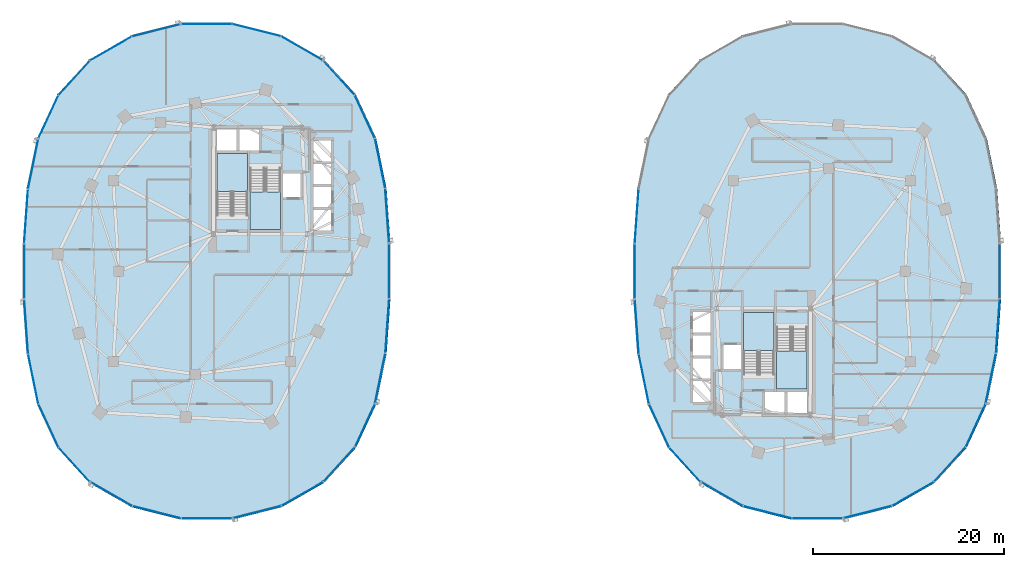
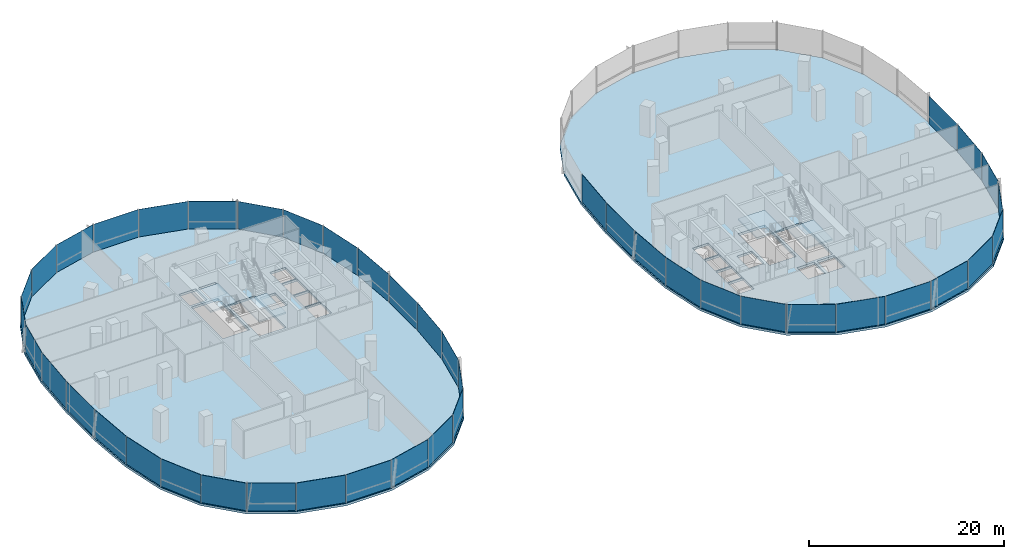
# One storey, part 9 of 21: 44 plates, 6 slabs, 11 elements without a shape of their own.
"""IFC4 building model written with IfcOpenShell, lengths in metres."""

from ifc_helpers import new_model, si_unit, direction, frame, origin, origin_2d, place, context, subcontext, project, spatial, polyline, rectangle, outline, extrude, material, layer, layer_set, type_object, element, aggregate, save


model = new_model("IFC4")

# Units and contexts
model_context = context("Model", 3, precision=1e-05, world=origin(), true_north=direction((0.0, 1.0)))
body_context = subcontext(model_context, "Body", "Model", "MODEL_VIEW")
ifc_project = project(units=[si_unit("LENGTHUNIT", "METRE"), si_unit("AREAUNIT", "SQUARE_METRE"), si_unit("VOLUMEUNIT", "CUBIC_METRE"), si_unit("PLANEANGLEUNIT", "RADIAN"), si_unit("MASSUNIT", "GRAM", prefix="KILO"), si_unit("THERMODYNAMICTEMPERATUREUNIT", "KELVIN"), si_unit("POWERUNIT", "WATT")], contexts=[model_context])

# Site, building, storey
site_placement = place(None, origin())
site = spatial("IfcSite", under=ifc_project, at=site_placement, CompositionType="ELEMENT")
building_placement = place(site_placement, origin())
building = spatial("IfcBuilding", under=site, at=building_placement, Name="Cundina Bronze Exchange", CompositionType="ELEMENT")
storey_placement = place(building_placement, frame((0.0, 0.0, 31.60009765625)))
storey = spatial("IfcBuildingStorey", under=building, at=storey_placement, Name="L07", CompositionType="ELEMENT", Elevation=31.60009765625)

# Curtain wall, plates
ifc_material_1 = material(Name="Anodised Bronze Aluminium 6063-T6", Category="aluminium")
curtain_wall_type = type_object("IfcCurtainWallType", Name="CWS-TRD-LOW", PredefinedType="NOTDEFINED", material=ifc_material_1)
curtain_wall_1_placement = place(storey_placement, origin())
curtain_wall_1 = element("IfcCurtainWall", 1, at=curtain_wall_1_placement, inside=storey, type_object=curtain_wall_type, Name="L07 CW-02 Curtain Wall Run CWR-L07-W1", PredefinedType="NOTDEFINED")
ifc_material_2 = material(Name="Heat-Strengthened Solar-Control Bronze Safety Glass 28mm", Category="glass")
ifc_layer_1 = layer(ifc_material_2, 0.028076171875, Name="Heat-Strengthened Solar-Control Bronze Safety Glass 28mm", Category="glass")
ifc_layer_set_1 = layer_set([ifc_layer_1], Name="Heat-Strengthened Solar-Control Bronze Safety Glass 28mm")
plate_type_1 = type_object("IfcPlateType", Name="PLT-GLZ-VIS28", PredefinedType="CURTAIN_PANEL", material=ifc_layer_set_1)
plate_1_placement = place(storey_placement, frame((-13.0732421875, 5.783935546875, 0.02001953125), z_axis=(0.0, 0.0, 1.0), x_axis=(-0.070278787473, 0.997527389113, 0.0)))
plate_1 = element("IfcPlate", 2, at=plate_1_placement, type_object=plate_type_1, Name="CW-02 Glazed Panel 1", PredefinedType="CURTAIN_PANEL", context=body_context, shape_type="SweptSolid", body=[
    extrude(rectangle(XDim=5.644287109375, YDim=0.028076171875, at=origin_2d()), origin(), (0.0, 0.0, 1.0), 3.4599609375),
])
plate_2_placement = place(storey_placement, frame((-13.81591796875, 11.269775390625, 0.02001953125), z_axis=(0.0, 0.0, 1.0), x_axis=(-0.201419845156, 0.979505000486, 0.0)))
plate_2 = element("IfcPlate", 3, at=plate_2_placement, type_object=plate_type_1, Name="CW-02 Glazed Panel 2", PredefinedType="CURTAIN_PANEL", context=body_context, shape_type="SweptSolid", body=[
    extrude(rectangle(XDim=5.306640625, YDim=0.028076171875, at=origin_2d()), origin(), (0.0, 0.0, 1.0), 3.4599609375),
])
plate_3_placement = place(storey_placement, frame((-18.1259765625, 20.267333984375, 0.02001953125), z_axis=(0.0, 0.0, 1.0), x_axis=(-0.674276610219, 0.73847887777, 0.0)))
plate_3 = element("IfcPlate", 4, at=plate_3_placement, type_object=plate_type_1, Name="CW-02 Glazed Panel 4", PredefinedType="CURTAIN_PANEL", context=body_context, shape_type="SweptSolid", body=[
    extrude(rectangle(XDim=4.86328125, YDim=0.028076171875, at=origin_2d()), origin(), (0.0, 0.0, 1.0), 3.4599609375),
])
plate_4_placement = place(storey_placement, frame((-21.980712890625, 23.34423828125, 0.02001953125), z_axis=(0.0, 0.0, 1.0), x_axis=(-0.867105478933, 0.498124571171, 0.0)))
plate_4 = element("IfcPlate", 5, at=plate_4_placement, type_object=plate_type_1, Name="CW-02 Glazed Panel 5", PredefinedType="CURTAIN_PANEL", context=body_context, shape_type="SweptSolid", body=[
    extrude(rectangle(XDim=5.021240234375, YDim=0.028076171875, at=origin_2d()), origin(), (0.0, 0.0, 1.0), 3.4599609375),
])
plate_5_placement = place(storey_placement, frame((-26.744384765625, 25.256591796875, 0.02001953125), z_axis=(0.0, 0.0, 1.0), x_axis=(-0.969488149345, 0.245138182011, 0.0)))
plate_5 = element("IfcPlate", 6, at=plate_5_placement, type_object=plate_type_1, Name="CW-02 Glazed Panel 6", PredefinedType="CURTAIN_PANEL", context=body_context, shape_type="SweptSolid", body=[
    extrude(rectangle(XDim=5.2333984375, YDim=0.028076171875, at=origin_2d()), origin(), (0.0, 0.0, 1.0), 3.4599609375),
])
plate_6_placement = place(storey_placement, frame((-32.0, 25.905029296875, 0.02001953125), z_axis=(0.0, 0.0, 1.0), x_axis=(-1.0, 0.0, 0.0)))
plate_6 = element("IfcPlate", 7, at=plate_6_placement, type_object=plate_type_1, Name="CW-02 Glazed Panel 7", PredefinedType="CURTAIN_PANEL", context=body_context, shape_type="SweptSolid", body=[
    extrude(rectangle(XDim=5.323974609375, YDim=0.028076171875, at=origin_2d()), origin(), (0.0, 0.0, 1.0), 3.4599609375),
])

curtain_wall_2_placement = place(storey_placement, origin())
curtain_wall_2 = element("IfcCurtainWall", 8, at=curtain_wall_2_placement, inside=storey, type_object=curtain_wall_type, Name="L07 CW-02 Curtain Wall Run CWR-L07-W2", PredefinedType="NOTDEFINED")
plate_7_placement = place(storey_placement, frame((-37.255615234375, 25.256591796875, 0.02001953125), z_axis=(0.0, 0.0, 1.0), x_axis=(-0.969488149345, -0.245138182011, 0.0)))
plate_7 = element("IfcPlate", 9, at=plate_7_placement, type_object=plate_type_1, Name="CW-02 Glazed Panel 1", PredefinedType="CURTAIN_PANEL", context=body_context, shape_type="SweptSolid", body=[
    extrude(rectangle(XDim=5.2333984375, YDim=0.028076171875, at=origin_2d()), origin(), (0.0, 0.0, 1.0), 3.4599609375),
])
plate_8_placement = place(storey_placement, frame((-45.8740234375, 20.267333984375, 0.02001953125), z_axis=(0.0, 0.0, 1.0), x_axis=(-0.674276610219, -0.73847887777, 0.0)))
plate_8 = element("IfcPlate", 10, at=plate_8_placement, type_object=plate_type_1, Name="CW-02 Glazed Panel 3", PredefinedType="CURTAIN_PANEL", context=body_context, shape_type="SweptSolid", body=[
    extrude(rectangle(XDim=4.86328125, YDim=0.028076171875, at=origin_2d()), origin(), (0.0, 0.0, 1.0), 3.4599609375),
])
plate_9_placement = place(storey_placement, frame((-48.586181640625, 16.177734375, 0.02001953125), z_axis=(0.0, 0.0, 1.0), x_axis=(-0.42084583328, -0.907132175932, 0.0)))
plate_9 = element("IfcPlate", 11, at=plate_9_placement, type_object=plate_type_1, Name="CW-02 Glazed Panel 4", PredefinedType="CURTAIN_PANEL", context=body_context, shape_type="SweptSolid", body=[
    extrude(rectangle(XDim=4.966552734375, YDim=0.028076171875, at=origin_2d()), origin(), (0.0, 0.0, 1.0), 3.4599609375),
])
plate_10_placement = place(storey_placement, frame((-50.18408203125, 11.269775390625, 0.02001953125), z_axis=(0.0, 0.0, 1.0), x_axis=(-0.201419845156, -0.979505000486, 0.0)))
plate_10 = element("IfcPlate", 12, at=plate_10_placement, type_object=plate_type_1, Name="CW-02 Glazed Panel 5", PredefinedType="CURTAIN_PANEL", context=body_context, shape_type="SweptSolid", body=[
    extrude(rectangle(XDim=5.306640625, YDim=0.028076171875, at=origin_2d()), origin(), (0.0, 0.0, 1.0), 3.4599609375),
])
plate_11_placement = place(storey_placement, frame((-50.9267578125, 5.783935546875, 0.02001953125), z_axis=(0.0, 0.0, 1.0), x_axis=(-0.070278787473, -0.997527389113, 0.0)))
plate_11 = element("IfcPlate", 13, at=plate_11_placement, type_object=plate_type_1, Name="CW-02 Glazed Panel 6", PredefinedType="CURTAIN_PANEL", context=body_context, shape_type="SweptSolid", body=[
    extrude(rectangle(XDim=5.644287109375, YDim=0.028076171875, at=origin_2d()), origin(), (0.0, 0.0, 1.0), 3.4599609375),
])

curtain_wall_3_placement = place(storey_placement, origin())
curtain_wall_3 = element("IfcCurtainWall", 14, at=curtain_wall_3_placement, inside=storey, type_object=curtain_wall_type, Name="L07 CW-02 Curtain Wall Run CWR-L07-W3", PredefinedType="NOTDEFINED")
plate_12_placement = place(storey_placement, frame((-50.18408203125, -11.269775390625, 0.02001953125), z_axis=(0.0, 0.0, 1.0), x_axis=(0.201419845156, -0.979505000486, 0.0)))
plate_12 = element("IfcPlate", 15, at=plate_12_placement, type_object=plate_type_1, Name="CW-02 Glazed Panel 2", PredefinedType="CURTAIN_PANEL", context=body_context, shape_type="SweptSolid", body=[
    extrude(rectangle(XDim=5.306640625, YDim=0.028076171875, at=origin_2d()), origin(), (0.0, 0.0, 1.0), 3.4599609375),
])
plate_13_placement = place(storey_placement, frame((-48.586181640625, -16.177734375, 0.02001953125), z_axis=(0.0, 0.0, 1.0), x_axis=(0.42084583328, -0.907132175932, 0.0)))
plate_13 = element("IfcPlate", 16, at=plate_13_placement, type_object=plate_type_1, Name="CW-02 Glazed Panel 3", PredefinedType="CURTAIN_PANEL", context=body_context, shape_type="SweptSolid", body=[
    extrude(rectangle(XDim=4.966552734375, YDim=0.028076171875, at=origin_2d()), origin(), (0.0, 0.0, 1.0), 3.4599609375),
])
plate_14_placement = place(storey_placement, frame((-45.8740234375, -20.267333984375, 0.02001953125), z_axis=(0.0, 0.0, 1.0), x_axis=(0.674276610219, -0.73847887777, 0.0)))
plate_14 = element("IfcPlate", 17, at=plate_14_placement, type_object=plate_type_1, Name="CW-02 Glazed Panel 4", PredefinedType="CURTAIN_PANEL", context=body_context, shape_type="SweptSolid", body=[
    extrude(rectangle(XDim=4.86328125, YDim=0.028076171875, at=origin_2d()), origin(), (0.0, 0.0, 1.0), 3.4599609375),
])
plate_15_placement = place(storey_placement, frame((-42.019287109375, -23.34423828125, 0.02001953125), z_axis=(0.0, 0.0, 1.0), x_axis=(0.867105478933, -0.498124571171, 0.0)))
plate_15 = element("IfcPlate", 18, at=plate_15_placement, type_object=plate_type_1, Name="CW-02 Glazed Panel 5", PredefinedType="CURTAIN_PANEL", context=body_context, shape_type="SweptSolid", body=[
    extrude(rectangle(XDim=5.021240234375, YDim=0.028076171875, at=origin_2d()), origin(), (0.0, 0.0, 1.0), 3.4599609375),
])
plate_16_placement = place(storey_placement, frame((-32.0, -25.905029296875, 0.02001953125), z_axis=(0.0, 0.0, 1.0), x_axis=(1.0, 0.0, 0.0)))
plate_16 = element("IfcPlate", 19, at=plate_16_placement, type_object=plate_type_1, Name="CW-02 Glazed Panel 7", PredefinedType="CURTAIN_PANEL", context=body_context, shape_type="SweptSolid", body=[
    extrude(rectangle(XDim=5.323974609375, YDim=0.028076171875, at=origin_2d()), origin(), (0.0, 0.0, 1.0), 3.4599609375),
])

curtain_wall_4_placement = place(storey_placement, origin())
curtain_wall_4 = element("IfcCurtainWall", 20, at=curtain_wall_4_placement, inside=storey, type_object=curtain_wall_type, Name="L07 CW-02 Curtain Wall Run CWR-L07-W4", PredefinedType="NOTDEFINED")
plate_17_placement = place(storey_placement, frame((-26.744384765625, -25.256591796875, 0.02001953125), z_axis=(0.0, 0.0, 1.0), x_axis=(0.969488149345, 0.245138182011, 0.0)))
plate_17 = element("IfcPlate", 21, at=plate_17_placement, type_object=plate_type_1, Name="CW-02 Glazed Panel 1", PredefinedType="CURTAIN_PANEL", context=body_context, shape_type="SweptSolid", body=[
    extrude(rectangle(XDim=5.2333984375, YDim=0.028076171875, at=origin_2d()), origin(), (0.0, 0.0, 1.0), 3.4599609375),
])
plate_18_placement = place(storey_placement, frame((-21.980712890625, -23.34423828125, 0.02001953125), z_axis=(0.0, 0.0, 1.0), x_axis=(0.867105478933, 0.498124571171, 0.0)))
plate_18 = element("IfcPlate", 22, at=plate_18_placement, type_object=plate_type_1, Name="CW-02 Glazed Panel 2", PredefinedType="CURTAIN_PANEL", context=body_context, shape_type="SweptSolid", body=[
    extrude(rectangle(XDim=5.021240234375, YDim=0.028076171875, at=origin_2d()), origin(), (0.0, 0.0, 1.0), 3.4599609375),
])
plate_19_placement = place(storey_placement, frame((-18.1259765625, -20.267333984375, 0.02001953125), z_axis=(0.0, 0.0, 1.0), x_axis=(0.674276610219, 0.73847887777, 0.0)))
plate_19 = element("IfcPlate", 23, at=plate_19_placement, type_object=plate_type_1, Name="CW-02 Glazed Panel 3", PredefinedType="CURTAIN_PANEL", context=body_context, shape_type="SweptSolid", body=[
    extrude(rectangle(XDim=4.86328125, YDim=0.028076171875, at=origin_2d()), origin(), (0.0, 0.0, 1.0), 3.4599609375),
])
plate_20_placement = place(storey_placement, frame((-15.413818359375, -16.177734375, 0.02001953125), z_axis=(0.0, 0.0, 1.0), x_axis=(0.42084583328, 0.907132175932, 0.0)))
plate_20 = element("IfcPlate", 24, at=plate_20_placement, type_object=plate_type_1, Name="CW-02 Glazed Panel 4", PredefinedType="CURTAIN_PANEL", context=body_context, shape_type="SweptSolid", body=[
    extrude(rectangle(XDim=4.966552734375, YDim=0.028076171875, at=origin_2d()), origin(), (0.0, 0.0, 1.0), 3.4599609375),
])
plate_21_placement = place(storey_placement, frame((-13.0732421875, -5.783935546875, 0.02001953125), z_axis=(0.0, 0.0, 1.0), x_axis=(0.070278787473, 0.997527389113, 0.0)))
plate_21 = element("IfcPlate", 25, at=plate_21_placement, type_object=plate_type_1, Name="CW-02 Glazed Panel 6", PredefinedType="CURTAIN_PANEL", context=body_context, shape_type="SweptSolid", body=[
    extrude(rectangle(XDim=5.644287109375, YDim=0.028076171875, at=origin_2d()), origin(), (0.0, 0.0, 1.0), 3.4599609375),
])
plate_22_placement = place(storey_placement, frame((-12.8720703125, 0.0, 0.02001953125), z_axis=(0.0, 0.0, 1.0), x_axis=(0.0, 1.0, 0.0)))
plate_22 = element("IfcPlate", 26, at=plate_22_placement, type_object=plate_type_1, Name="CW-02 Glazed Panel 7", PredefinedType="CURTAIN_PANEL", context=body_context, shape_type="SweptSolid", body=[
    extrude(rectangle(XDim=5.77587890625, YDim=0.028076171875, at=origin_2d()), origin(), (0.0, 0.0, 1.0), 3.4599609375),
])

# Curtain wall, plate
curtain_wall_5_placement = place(storey_placement, origin())
curtain_wall_5 = element("IfcCurtainWall", 27, at=curtain_wall_5_placement, inside=storey, type_object=curtain_wall_type, Name="L07 CW-02 Curtain Wall Run CWR-L07-E2", PredefinedType="NOTDEFINED")
plate_23_placement = place(storey_placement, frame((13.0732421875, 5.783935546875, 0.02001953125), z_axis=(0.0, 0.0, 1.0), x_axis=(-0.070278787473, -0.997527389113, 0.0)))
plate_23 = element("IfcPlate", 28, at=plate_23_placement, type_object=plate_type_1, Name="CW-02 Glazed Panel 6", PredefinedType="CURTAIN_PANEL", context=body_context, shape_type="SweptSolid", body=[
    extrude(rectangle(XDim=5.644287109375, YDim=0.028076171875, at=origin_2d()), origin(), (0.0, 0.0, 1.0), 3.4599609375),
])

# Curtain wall, plates
curtain_wall_6_placement = place(storey_placement, origin())
curtain_wall_6 = element("IfcCurtainWall", 29, at=curtain_wall_6_placement, inside=storey, type_object=curtain_wall_type, Name="L07 CW-02 Curtain Wall Run CWR-L07-E3", PredefinedType="NOTDEFINED")
plate_24_placement = place(storey_placement, frame((13.81591796875, -11.269775390625, 0.02001953125), z_axis=(0.0, 0.0, 1.0), x_axis=(0.201419845156, -0.979505000486, 0.0)))
plate_24 = element("IfcPlate", 30, at=plate_24_placement, type_object=plate_type_1, Name="CW-02 Glazed Panel 2", PredefinedType="CURTAIN_PANEL", context=body_context, shape_type="SweptSolid", body=[
    extrude(rectangle(XDim=5.306640625, YDim=0.028076171875, at=origin_2d()), origin(), (0.0, 0.0, 1.0), 3.4599609375),
])
plate_25_placement = place(storey_placement, frame((15.413818359375, -16.177734375, 0.02001953125), z_axis=(0.0, 0.0, 1.0), x_axis=(0.42084583328, -0.907132175932, 0.0)))
plate_25 = element("IfcPlate", 31, at=plate_25_placement, type_object=plate_type_1, Name="CW-02 Glazed Panel 3", PredefinedType="CURTAIN_PANEL", context=body_context, shape_type="SweptSolid", body=[
    extrude(rectangle(XDim=4.966552734375, YDim=0.028076171875, at=origin_2d()), origin(), (0.0, 0.0, 1.0), 3.4599609375),
])
plate_26_placement = place(storey_placement, frame((18.1259765625, -20.267333984375, 0.02001953125), z_axis=(0.0, 0.0, 1.0), x_axis=(0.674276610219, -0.73847887777, 0.0)))
plate_26 = element("IfcPlate", 32, at=plate_26_placement, type_object=plate_type_1, Name="CW-02 Glazed Panel 4", PredefinedType="CURTAIN_PANEL", context=body_context, shape_type="SweptSolid", body=[
    extrude(rectangle(XDim=4.86328125, YDim=0.028076171875, at=origin_2d()), origin(), (0.0, 0.0, 1.0), 3.4599609375),
])
plate_27_placement = place(storey_placement, frame((21.980712890625, -23.34423828125, 0.02001953125), z_axis=(0.0, 0.0, 1.0), x_axis=(0.867105478933, -0.498124571171, 0.0)))
plate_27 = element("IfcPlate", 33, at=plate_27_placement, type_object=plate_type_1, Name="CW-02 Glazed Panel 5", PredefinedType="CURTAIN_PANEL", context=body_context, shape_type="SweptSolid", body=[
    extrude(rectangle(XDim=5.021240234375, YDim=0.028076171875, at=origin_2d()), origin(), (0.0, 0.0, 1.0), 3.4599609375),
])
plate_28_placement = place(storey_placement, frame((32.0, -25.905029296875, 0.02001953125), z_axis=(0.0, 0.0, 1.0), x_axis=(1.0, 0.0, 0.0)))
plate_28 = element("IfcPlate", 34, at=plate_28_placement, type_object=plate_type_1, Name="CW-02 Glazed Panel 7", PredefinedType="CURTAIN_PANEL", context=body_context, shape_type="SweptSolid", body=[
    extrude(rectangle(XDim=5.323974609375, YDim=0.028076171875, at=origin_2d()), origin(), (0.0, 0.0, 1.0), 3.4599609375),
])

curtain_wall_7_placement = place(storey_placement, origin())
curtain_wall_7 = element("IfcCurtainWall", 35, at=curtain_wall_7_placement, inside=storey, type_object=curtain_wall_type, Name="L07 CW-02 Curtain Wall Run CWR-L07-E4", PredefinedType="NOTDEFINED")
plate_29_placement = place(storey_placement, frame((37.255615234375, -25.256591796875, 0.02001953125), z_axis=(0.0, 0.0, 1.0), x_axis=(0.969488149345, 0.245138182011, 0.0)))
plate_29 = element("IfcPlate", 36, at=plate_29_placement, type_object=plate_type_1, Name="CW-02 Glazed Panel 1", PredefinedType="CURTAIN_PANEL", context=body_context, shape_type="SweptSolid", body=[
    extrude(rectangle(XDim=5.2333984375, YDim=0.028076171875, at=origin_2d()), origin(), (0.0, 0.0, 1.0), 3.4599609375),
])
plate_30_placement = place(storey_placement, frame((42.019287109375, -23.34423828125, 0.02001953125), z_axis=(0.0, 0.0, 1.0), x_axis=(0.867105478933, 0.498124571171, 0.0)))
plate_30 = element("IfcPlate", 37, at=plate_30_placement, type_object=plate_type_1, Name="CW-02 Glazed Panel 2", PredefinedType="CURTAIN_PANEL", context=body_context, shape_type="SweptSolid", body=[
    extrude(rectangle(XDim=5.021240234375, YDim=0.028076171875, at=origin_2d()), origin(), (0.0, 0.0, 1.0), 3.4599609375),
])
plate_31_placement = place(storey_placement, frame((45.8740234375, -20.267333984375, 0.02001953125), z_axis=(0.0, 0.0, 1.0), x_axis=(0.674276610219, 0.73847887777, 0.0)))
plate_31 = element("IfcPlate", 38, at=plate_31_placement, type_object=plate_type_1, Name="CW-02 Glazed Panel 3", PredefinedType="CURTAIN_PANEL", context=body_context, shape_type="SweptSolid", body=[
    extrude(rectangle(XDim=4.86328125, YDim=0.028076171875, at=origin_2d()), origin(), (0.0, 0.0, 1.0), 3.4599609375),
])
plate_32_placement = place(storey_placement, frame((48.586181640625, -16.177734375, 0.02001953125), z_axis=(0.0, 0.0, 1.0), x_axis=(0.42084583328, 0.907132175932, 0.0)))
plate_32 = element("IfcPlate", 39, at=plate_32_placement, type_object=plate_type_1, Name="CW-02 Glazed Panel 4", PredefinedType="CURTAIN_PANEL", context=body_context, shape_type="SweptSolid", body=[
    extrude(rectangle(XDim=4.966552734375, YDim=0.028076171875, at=origin_2d()), origin(), (0.0, 0.0, 1.0), 3.4599609375),
])
plate_33_placement = place(storey_placement, frame((50.9267578125, -5.783935546875, 0.02001953125), z_axis=(0.0, 0.0, 1.0), x_axis=(0.070278787473, 0.997527389113, 0.0)))
plate_33 = element("IfcPlate", 40, at=plate_33_placement, type_object=plate_type_1, Name="CW-02 Glazed Panel 6", PredefinedType="CURTAIN_PANEL", context=body_context, shape_type="SweptSolid", body=[
    extrude(rectangle(XDim=5.644287109375, YDim=0.028076171875, at=origin_2d()), origin(), (0.0, 0.0, 1.0), 3.4599609375),
])
plate_34_placement = place(storey_placement, frame((51.1279296875, 0.0, 0.02001953125), z_axis=(0.0, 0.0, 1.0), x_axis=(0.0, 1.0, 0.0)))
plate_34 = element("IfcPlate", 41, at=plate_34_placement, type_object=plate_type_1, Name="CW-02 Glazed Panel 7", PredefinedType="CURTAIN_PANEL", context=body_context, shape_type="SweptSolid", body=[
    extrude(rectangle(XDim=5.77587890625, YDim=0.028076171875, at=origin_2d()), origin(), (0.0, 0.0, 1.0), 3.4599609375),
])

# Plate
ifc_material_3 = material(Name="Dark Bronze Spandrel Glass Panel 32mm", Category="glass")
ifc_layer_2 = layer(ifc_material_3, 0.031982421875, Name="Dark Bronze Spandrel Glass Panel 32mm", Category="glass")
ifc_layer_set_2 = layer_set([ifc_layer_2], Name="Dark Bronze Spandrel Glass Panel 32mm")
plate_type_2 = type_object("IfcPlateType", Name="PLT-SPN-BRZ32", PredefinedType="CURTAIN_PANEL", material=ifc_layer_set_2)
plate_35_placement = place(storey_placement, frame((-15.413818359375, 16.177734375, 0.02001953125), z_axis=(0.0, 0.0, 1.0), x_axis=(-0.42084583328, 0.907132175932, 0.0)))
plate_35 = element("IfcPlate", 42, at=plate_35_placement, type_object=plate_type_2, Name="CW-02 Glazed Panel 3", PredefinedType="CURTAIN_PANEL", context=body_context, shape_type="SweptSolid", body=[
    extrude(rectangle(XDim=4.966552734375, YDim=0.031982421875, at=origin_2d()), origin(), (0.0, 0.0, 1.0), 3.4599609375),
])

aggregate(curtain_wall_1, [plate_1, plate_2, plate_35, plate_3, plate_4, plate_5, plate_6])

plate_36_placement = place(storey_placement, frame((-42.019287109375, 23.34423828125, 0.02001953125), z_axis=(0.0, 0.0, 1.0), x_axis=(-0.867105478933, -0.498124571171, 0.0)))
plate_36 = element("IfcPlate", 43, at=plate_36_placement, type_object=plate_type_2, Name="CW-02 Glazed Panel 2", PredefinedType="CURTAIN_PANEL", context=body_context, shape_type="SweptSolid", body=[
    extrude(rectangle(XDim=5.021240234375, YDim=0.031982421875, at=origin_2d()), origin(), (0.0, 0.0, 1.0), 3.4599609375),
])

plate_37_placement = place(storey_placement, frame((-51.1279296875, 0.0, 0.02001953125), z_axis=(0.0, 0.0, 1.0), x_axis=(0.0, -1.0, 0.0)))
plate_37 = element("IfcPlate", 44, at=plate_37_placement, type_object=plate_type_2, Name="CW-02 Glazed Panel 7", PredefinedType="CURTAIN_PANEL", context=body_context, shape_type="SweptSolid", body=[
    extrude(rectangle(XDim=5.77587890625, YDim=0.031982421875, at=origin_2d()), origin(), (0.0, 0.0, 1.0), 3.4599609375),
])

aggregate(curtain_wall_2, [plate_7, plate_36, plate_8, plate_9, plate_10, plate_11, plate_37])

plate_38_placement = place(storey_placement, frame((-50.9267578125, -5.783935546875, 0.02001953125), z_axis=(0.0, 0.0, 1.0), x_axis=(0.070278787473, -0.997527389113, 0.0)))
plate_38 = element("IfcPlate", 45, at=plate_38_placement, type_object=plate_type_2, Name="CW-02 Glazed Panel 1", PredefinedType="CURTAIN_PANEL", context=body_context, shape_type="SweptSolid", body=[
    extrude(rectangle(XDim=5.644287109375, YDim=0.031982421875, at=origin_2d()), origin(), (0.0, 0.0, 1.0), 3.4599609375),
])

plate_39_placement = place(storey_placement, frame((-37.255615234375, -25.256591796875, 0.02001953125), z_axis=(0.0, 0.0, 1.0), x_axis=(0.969488149345, -0.245138182011, 0.0)))
plate_39 = element("IfcPlate", 46, at=plate_39_placement, type_object=plate_type_2, Name="CW-02 Glazed Panel 6", PredefinedType="CURTAIN_PANEL", context=body_context, shape_type="SweptSolid", body=[
    extrude(rectangle(XDim=5.2333984375, YDim=0.031982421875, at=origin_2d()), origin(), (0.0, 0.0, 1.0), 3.4599609375),
])

aggregate(curtain_wall_3, [plate_38, plate_12, plate_13, plate_14, plate_15, plate_39, plate_16])

plate_40_placement = place(storey_placement, frame((-13.81591796875, -11.269775390625, 0.02001953125), z_axis=(0.0, 0.0, 1.0), x_axis=(0.201419845156, 0.979505000486, 0.0)))
plate_40 = element("IfcPlate", 47, at=plate_40_placement, type_object=plate_type_2, Name="CW-02 Glazed Panel 5", PredefinedType="CURTAIN_PANEL", context=body_context, shape_type="SweptSolid", body=[
    extrude(rectangle(XDim=5.306640625, YDim=0.031982421875, at=origin_2d()), origin(), (0.0, 0.0, 1.0), 3.4599609375),
])

aggregate(curtain_wall_4, [plate_17, plate_18, plate_19, plate_20, plate_40, plate_21, plate_22])

plate_41_placement = place(storey_placement, frame((12.8720703125, 0.0, 0.02001953125), z_axis=(0.0, 0.0, 1.0), x_axis=(0.0, -1.0, 0.0)))
plate_41 = element("IfcPlate", 48, at=plate_41_placement, type_object=plate_type_2, Name="CW-02 Glazed Panel 7", PredefinedType="CURTAIN_PANEL", context=body_context, shape_type="SweptSolid", body=[
    extrude(rectangle(XDim=5.77587890625, YDim=0.031982421875, at=origin_2d()), origin(), (0.0, 0.0, 1.0), 3.4599609375),
])

aggregate(curtain_wall_5, [plate_23, plate_41])

plate_42_placement = place(storey_placement, frame((13.0732421875, -5.783935546875, 0.02001953125), z_axis=(0.0, 0.0, 1.0), x_axis=(0.070278787473, -0.997527389113, 0.0)))
plate_42 = element("IfcPlate", 49, at=plate_42_placement, type_object=plate_type_2, Name="CW-02 Glazed Panel 1", PredefinedType="CURTAIN_PANEL", context=body_context, shape_type="SweptSolid", body=[
    extrude(rectangle(XDim=5.644287109375, YDim=0.031982421875, at=origin_2d()), origin(), (0.0, 0.0, 1.0), 3.4599609375),
])

plate_43_placement = place(storey_placement, frame((26.744384765625, -25.256591796875, 0.02001953125), z_axis=(0.0, 0.0, 1.0), x_axis=(0.969488149345, -0.245138182011, 0.0)))
plate_43 = element("IfcPlate", 50, at=plate_43_placement, type_object=plate_type_2, Name="CW-02 Glazed Panel 6", PredefinedType="CURTAIN_PANEL", context=body_context, shape_type="SweptSolid", body=[
    extrude(rectangle(XDim=5.2333984375, YDim=0.031982421875, at=origin_2d()), origin(), (0.0, 0.0, 1.0), 3.4599609375),
])

aggregate(curtain_wall_6, [plate_42, plate_24, plate_25, plate_26, plate_27, plate_43, plate_28])

plate_44_placement = place(storey_placement, frame((50.18408203125, -11.269775390625, 0.02001953125), z_axis=(0.0, 0.0, 1.0), x_axis=(0.201419845156, 0.979505000486, 0.0)))
plate_44 = element("IfcPlate", 51, at=plate_44_placement, type_object=plate_type_2, Name="CW-02 Glazed Panel 5", PredefinedType="CURTAIN_PANEL", context=body_context, shape_type="SweptSolid", body=[
    extrude(rectangle(XDim=5.306640625, YDim=0.031982421875, at=origin_2d()), origin(), (0.0, 0.0, 1.0), 3.4599609375),
])

aggregate(curtain_wall_7, [plate_29, plate_30, plate_31, plate_32, plate_44, plate_33, plate_34])

# Stair, slab
ifc_material_4 = material(Name="Concrete C40/50", Category="concrete")
stair_type = type_object("IfcStairType", Name="STR-TRD-380", PredefinedType="HALF_TURN_STAIR", material=ifc_material_4)
stair_1_placement = place(storey_placement, origin())
stair_1 = element("IfcStair", 52, at=stair_1_placement, inside=storey, type_object=stair_type, Name="L07 Smokeproof Exit Stair W1", PredefinedType="HALF_TURN_STAIR")
ifc_layer_3 = layer(ifc_material_4, 0.199951171875, Name="Concrete C40/50", Category="concrete")
ifc_layer_set_3 = layer_set([ifc_layer_3], Name="Concrete C40/50")
slab_type_1 = type_object("IfcSlabType", Name="SLB-LND-200", PredefinedType="LANDING", material=ifc_layer_set_3)
slab_1_placement = place(storey_placement, frame((0.0, 0.0, 1.699951171875)))
slab_1 = element("IfcSlab", 53, at=slab_1_placement, type_object=slab_type_1, Name="ST-W1 landing 1", PredefinedType="LANDING", context=body_context, shape_type="SweptSolid", body=[
    extrude(outline(polyline([(-27.739990234375, 8.3701171875), (-27.739990234375, 12.35009765625), (-30.89990234375, 12.35009765625), (-30.89990234375, 8.3701171875), (-27.739990234375, 8.3701171875)])), origin(), (0.0, 0.0, 1.0), 0.199951171875),
])
aggregate(stair_1, [slab_1])

stair_2_placement = place(storey_placement, origin())
stair_2 = element("IfcStair", 54, at=stair_2_placement, inside=storey, type_object=stair_type, Name="L07 Smokeproof Exit Stair W2", PredefinedType="HALF_TURN_STAIR")
slab_2_placement = place(storey_placement, frame((0.0, 0.0, 1.699951171875)))
slab_2 = element("IfcSlab", 55, at=slab_2_placement, type_object=slab_type_1, Name="ST-W2 landing 1", PredefinedType="LANDING", context=body_context, shape_type="SweptSolid", body=[
    extrude(outline(polyline([(-27.43994140625, 8.330078125), (-27.43994140625, 4.35009765625), (-24.280029296875, 4.35009765625), (-24.280029296875, 8.330078125), (-27.43994140625, 8.330078125)])), origin(), (0.0, 0.0, 1.0), 0.199951171875),
])
aggregate(stair_2, [slab_2])

stair_3_placement = place(storey_placement, origin())
stair_3 = element("IfcStair", 56, at=stair_3_placement, inside=storey, type_object=stair_type, Name="L07 Smokeproof Exit Stair E1", PredefinedType="HALF_TURN_STAIR")
slab_3_placement = place(storey_placement, frame((0.0, 0.0, 1.699951171875)))
slab_3 = element("IfcSlab", 57, at=slab_3_placement, type_object=slab_type_1, Name="ST-E1 landing 1", PredefinedType="LANDING", context=body_context, shape_type="SweptSolid", body=[
    extrude(outline(polyline([(27.739990234375, -8.3701171875), (27.739990234375, -12.35009765625), (30.89990234375, -12.35009765625), (30.89990234375, -8.3701171875), (27.739990234375, -8.3701171875)])), origin(), (0.0, 0.0, 1.0), 0.199951171875),
])
aggregate(stair_3, [slab_3])

stair_4_placement = place(storey_placement, origin())
stair_4 = element("IfcStair", 58, at=stair_4_placement, inside=storey, type_object=stair_type, Name="L07 Smokeproof Exit Stair E2", PredefinedType="HALF_TURN_STAIR")
slab_4_placement = place(storey_placement, frame((0.0, 0.0, 1.699951171875)))
slab_4 = element("IfcSlab", 59, at=slab_4_placement, type_object=slab_type_1, Name="ST-E2 landing 1", PredefinedType="LANDING", context=body_context, shape_type="SweptSolid", body=[
    extrude(outline(polyline([(27.43994140625, -8.330078125), (27.43994140625, -4.35009765625), (24.280029296875, -4.35009765625), (24.280029296875, -8.330078125), (27.43994140625, -8.330078125)])), origin(), (0.0, 0.0, 1.0), 0.199951171875),
])
aggregate(stair_4, [slab_4])

# Slabs
ifc_material_5 = material(Name="Concrete C50/60", Category="concrete")
ifc_layer_4 = layer(ifc_material_5, 0.300048828125, Name="Concrete C50/60", Category="concrete")
ifc_layer_set_4 = layer_set([ifc_layer_4], Name="Concrete C50/60")
slab_type_2 = type_object("IfcSlabType", Name="SLB-TRD-300", PredefinedType="FLOOR", material=ifc_layer_set_4)
slab_5_placement = place(storey_placement, frame((0.0, 0.0, -0.300048828125)))
element("IfcSlab", 60, at=slab_5_placement, inside=storey, type_object=slab_type_2, Name="L07 Leg W Structural Floor Slab", PredefinedType="FLOOR", context=body_context, shape_type="SweptSolid", body=[
    extrude(outline(polyline([(-12.741943359375, 2.93310546875), (-13.14501953125, 8.653076171875), (-14.23193359375, 13.93896484375), (-16.360107421875, 18.52587890625), (-19.699951171875, 22.18408203125), (-24.132080078125, 24.72998046875), (-29.29296875, 26.034912109375), (-34.70703125, 26.034912109375), (-39.867919921875, 24.72998046875), (-44.300048828125, 22.18408203125), (-47.639892578125, 18.52587890625), (-49.76806640625, 13.93896484375), (-50.85498046875, 8.653076171875), (-51.258056640625, 2.93310546875), (-51.258056640625, -2.93310546875), (-50.85498046875, -8.653076171875), (-49.76806640625, -13.93896484375), (-47.639892578125, -18.52587890625), (-44.300048828125, -22.18408203125), (-39.867919921875, -24.72998046875), (-34.70703125, -26.034912109375), (-29.29296875, -26.034912109375), (-24.132080078125, -24.72998046875), (-19.699951171875, -22.18408203125), (-16.360107421875, -18.52587890625), (-14.23193359375, -13.93896484375), (-13.14501953125, -8.653076171875), (-12.741943359375, -2.93310546875), (-12.741943359375, 2.93310546875)]), holes=[polyline([(-27.739990234375, 5.85009765625), (-27.739990234375, 12.35009765625), (-30.89990234375, 12.35009765625), (-30.89990234375, 5.85009765625), (-27.739990234375, 5.85009765625)]), polyline([(-27.43994140625, 10.85009765625), (-27.43994140625, 4.35009765625), (-24.280029296875, 4.35009765625), (-24.280029296875, 10.85009765625), (-27.43994140625, 10.85009765625)]), polyline([(-23.97998046875, 10.25), (-22.179931640625, 10.25), (-22.179931640625, 7.75), (-23.97998046875, 7.75), (-23.97998046875, 10.25)]), polyline([(-30.89990234375, 14.949951171875), (-28.85009765625, 14.949951171875), (-28.85009765625, 12.64990234375), (-30.89990234375, 12.64990234375), (-30.89990234375, 14.949951171875)]), polyline([(-28.550048828125, 14.949951171875), (-26.5, 14.949951171875), (-26.5, 12.64990234375), (-28.550048828125, 12.64990234375), (-28.550048828125, 14.949951171875)]), polyline([(-20.800048828125, 13.699951171875), (-18.949951171875, 13.699951171875), (-18.949951171875, 11.449951171875), (-20.800048828125, 11.449951171875), (-20.800048828125, 13.699951171875)]), polyline([(-20.800048828125, 11.300048828125), (-18.949951171875, 11.300048828125), (-18.949951171875, 9.050048828125), (-20.800048828125, 9.050048828125), (-20.800048828125, 11.300048828125)]), polyline([(-20.800048828125, 8.89990234375), (-18.949951171875, 8.89990234375), (-18.949951171875, 6.64990234375), (-20.800048828125, 6.64990234375), (-20.800048828125, 8.89990234375)]), polyline([(-20.800048828125, 6.5), (-18.949951171875, 6.5), (-18.949951171875, 4.25), (-20.800048828125, 4.25), (-20.800048828125, 6.5)])]), origin(), (0.0, 0.0, 1.0), 0.300048828125),
])
slab_6_placement = place(storey_placement, frame((0.0, 0.0, -0.300048828125)))
element("IfcSlab", 61, at=slab_6_placement, inside=storey, type_object=slab_type_2, Name="L07 Leg E Structural Floor Slab", PredefinedType="FLOOR", context=body_context, shape_type="SweptSolid", body=[
    extrude(outline(polyline([(51.258056640625, 2.93310546875), (50.85498046875, 8.653076171875), (49.76806640625, 13.93896484375), (47.639892578125, 18.52587890625), (44.300048828125, 22.18408203125), (39.867919921875, 24.72998046875), (34.70703125, 26.034912109375), (29.29296875, 26.034912109375), (24.132080078125, 24.72998046875), (19.699951171875, 22.18408203125), (16.360107421875, 18.52587890625), (14.23193359375, 13.93896484375), (13.14501953125, 8.653076171875), (12.741943359375, 2.93310546875), (12.741943359375, -2.93310546875), (13.14501953125, -8.653076171875), (14.23193359375, -13.93896484375), (16.360107421875, -18.52587890625), (19.699951171875, -22.18408203125), (24.132080078125, -24.72998046875), (29.29296875, -26.034912109375), (34.70703125, -26.034912109375), (39.867919921875, -24.72998046875), (44.300048828125, -22.18408203125), (47.639892578125, -18.52587890625), (49.76806640625, -13.93896484375), (50.85498046875, -8.653076171875), (51.258056640625, -2.93310546875), (51.258056640625, 2.93310546875)]), holes=[polyline([(27.739990234375, -5.85009765625), (27.739990234375, -12.35009765625), (30.89990234375, -12.35009765625), (30.89990234375, -5.85009765625), (27.739990234375, -5.85009765625)]), polyline([(27.43994140625, -10.85009765625), (27.43994140625, -4.35009765625), (24.280029296875, -4.35009765625), (24.280029296875, -10.85009765625), (27.43994140625, -10.85009765625)]), polyline([(22.179931640625, -7.75), (23.97998046875, -7.75), (23.97998046875, -10.25), (22.179931640625, -10.25), (22.179931640625, -7.75)]), polyline([(28.85009765625, -12.64990234375), (30.89990234375, -12.64990234375), (30.89990234375, -14.949951171875), (28.85009765625, -14.949951171875), (28.85009765625, -12.64990234375)]), polyline([(26.5, -12.64990234375), (28.550048828125, -12.64990234375), (28.550048828125, -14.949951171875), (26.5, -14.949951171875), (26.5, -12.64990234375)]), polyline([(18.949951171875, -11.449951171875), (20.800048828125, -11.449951171875), (20.800048828125, -13.699951171875), (18.949951171875, -13.699951171875), (18.949951171875, -11.449951171875)]), polyline([(18.949951171875, -9.050048828125), (20.800048828125, -9.050048828125), (20.800048828125, -11.300048828125), (18.949951171875, -11.300048828125), (18.949951171875, -9.050048828125)]), polyline([(18.949951171875, -6.64990234375), (20.800048828125, -6.64990234375), (20.800048828125, -8.89990234375), (18.949951171875, -8.89990234375), (18.949951171875, -6.64990234375)]), polyline([(18.949951171875, -4.25), (20.800048828125, -4.25), (20.800048828125, -6.5), (18.949951171875, -6.5), (18.949951171875, -4.25)])]), origin(), (0.0, 0.0, 1.0), 0.300048828125),
])

save(model, "model.ifc")
